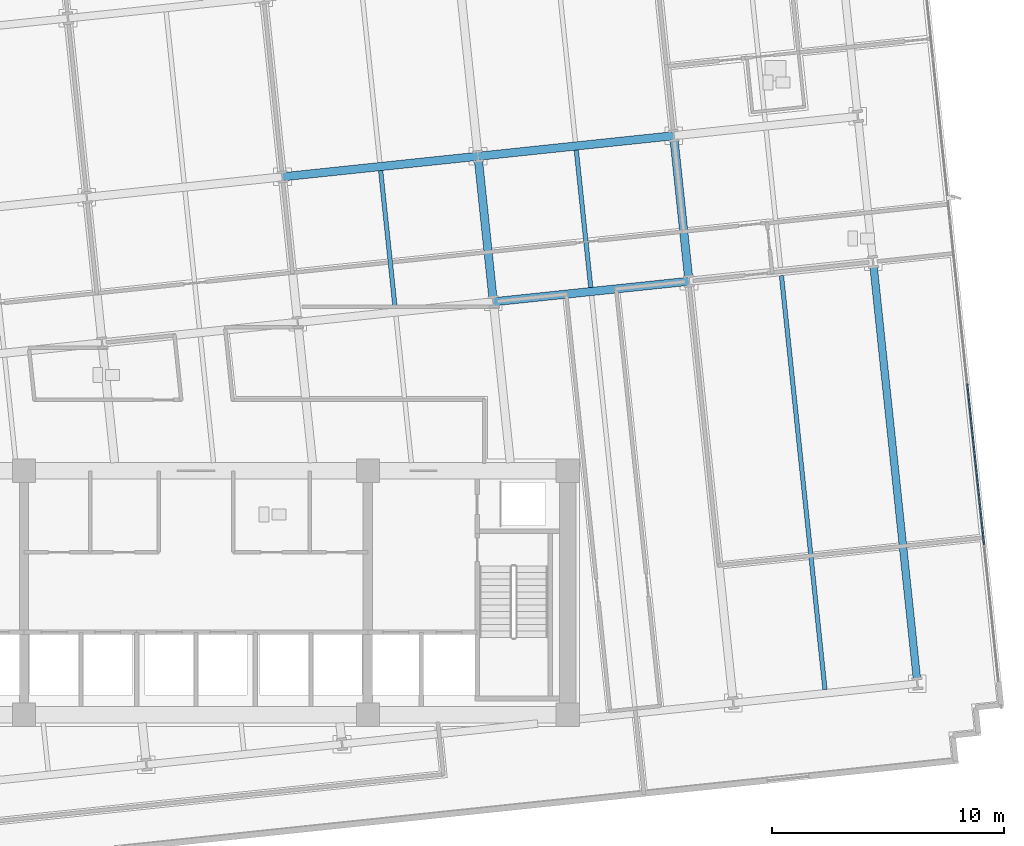
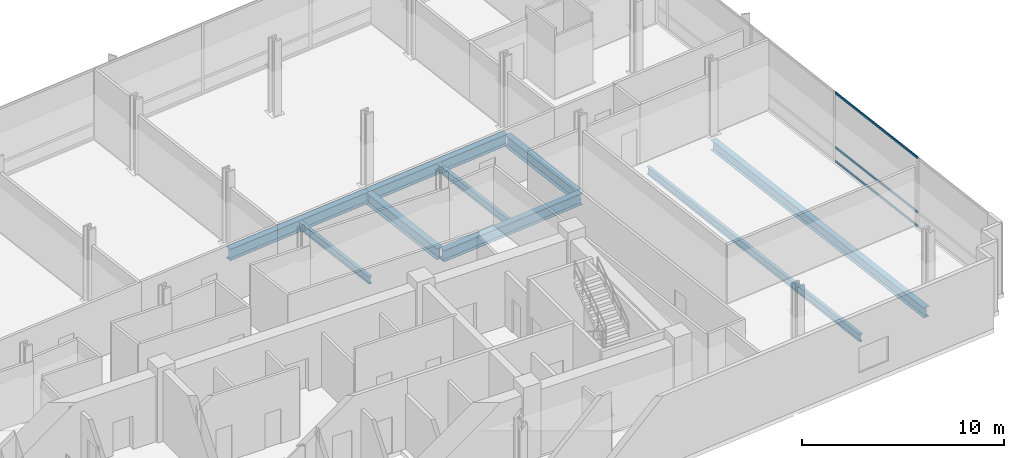
# One storey, part 7 of 20: 9 beams, 3 members, 1 element without a shape of its own.
"""IFC4 building model written with IfcOpenShell, lengths in metres."""

from ifc_helpers import new_model, si_unit, direction, frame, origin, origin_2d, place, context, subcontext, project, spatial, rectangle, i_section, extrude, material, material_profile, profile_set, type_object, element, aggregate, save


model = new_model("IFC4")

# Units and contexts
model_context = context("Model", 3, precision=1e-05, world=origin(), true_north=direction((0.0, 1.0)))
body_context = subcontext(model_context, "Body", "Model", "MODEL_VIEW")
ifc_project = project(units=[si_unit("LENGTHUNIT", "METRE"), si_unit("AREAUNIT", "SQUARE_METRE"), si_unit("VOLUMEUNIT", "CUBIC_METRE"), si_unit("PLANEANGLEUNIT", "RADIAN"), si_unit("MASSUNIT", "GRAM", prefix="KILO")], contexts=[model_context])

# Site, building, storey
site_placement = place(None, origin())
site = spatial("IfcSite", under=ifc_project, at=site_placement, CompositionType="ELEMENT")
building_placement = place(site_placement, origin())
building = spatial("IfcBuilding", under=site, at=building_placement, Name="Solmavex Isthmus Hotel", CompositionType="ELEMENT")
storey_placement = place(building_placement, frame((0.0, 0.0, 97.35009765625)))
storey = spatial("IfcBuildingStorey", under=building, at=storey_placement, Name="L26", CompositionType="ELEMENT", Elevation=97.35009765625)

# Beams
ifc_material_1 = material(Name="Steel ASTM A992 Grade 50", Category="steel")
ifc_material_profile_1 = material_profile(ifc_material_1, i_section(OverallWidth=0.354736328125, OverallDepth=0.695556640625, WebThickness=0.015380859375, FlangeThickness=0.02490234375, FilletRadius=0.017822265625, at=origin_2d()), Name="W27X146")
ifc_profile_set_1 = profile_set([ifc_material_profile_1], Name="Steel ASTM A992 Grade 50")
beam_type_1 = type_object("IfcBeamType", Name="BM-BG-W27X146", PredefinedType="BEAM", material=ifc_profile_set_1)
for number, where, z_axis, x_axis, name in (
    (1, (12.800048828125, 4.7734375, -0.60791015625), (0.994521085209, 0.104536171134, 0.0), (-0.104536171134, 0.994521085209, 0.0), "Floor Girder L26-UG11"),
    (2, (3.72216796875, 10.152099609375, -0.60791015625), (0.994524082861, 0.104507648572, 0.0), (-0.104507648572, 0.994524082861, 0.0), "Floor Girder L26-UG16"),
    (3, (12.141845703125, 11.036865234375, -0.60791015625), (0.994521085209, 0.104536171134, 0.0), (-0.104536171134, 0.994521085209, 0.0), "Floor Girder L26-UG17"),
):
    element("IfcBeam", number, at=place(storey_placement, frame(where, z_axis=z_axis, x_axis=x_axis)), inside=storey, type_object=beam_type_1, Name=name, PredefinedType="BEAM", context=body_context, shape_type="SweptSolid", body=[
        extrude(i_section(OverallWidth=0.354736328125, OverallDepth=0.695556640625, WebThickness=0.015380859375, FlangeThickness=0.02490234375, FilletRadius=0.017822265625, at=origin_2d()), origin(), (0.0, 0.0, 1.0), 8.466064453125),
    ])
for number, where, z_axis, x_axis, name in (
    (4, (12.781494140625, 4.949951171875, -0.60791015625), (-0.104505160346, 0.994524344328, 0.0), (-0.994524344328, -0.104505160346, 0.0), "Floor Beam L26-VG41"),
    (5, (21.201171875, 5.834716796875, -0.60791015625), (-0.104505160346, 0.994524344328, 0.0), (-0.994524344328, -0.104505160346, 0.0), "Floor Beam L26-VG44"),
):
    element("IfcBeam", number, at=place(storey_placement, frame(where, z_axis=z_axis, x_axis=x_axis)), inside=storey, type_object=beam_type_1, Name=name, PredefinedType="BEAM", context=body_context, shape_type="SweptSolid", body=[
        extrude(i_section(OverallWidth=0.354736328125, OverallDepth=0.695556640625, WebThickness=0.015380859375, FlangeThickness=0.02490234375, FilletRadius=0.017822265625, at=origin_2d()), origin(), (0.0, 0.0, 1.0), 5.943115234375),
    ])
ifc_material_profile_2 = material_profile(ifc_material_1, i_section(OverallWidth=0.1904296875, OverallDepth=0.456787109375, WebThickness=0.009033203125, FlangeThickness=0.014404296875, FilletRadius=0.0126953125, at=origin_2d()), Name="W18X50")
ifc_profile_set_2 = profile_set([ifc_material_profile_2], Name="Steel ASTM A992 Grade 50")
beam_type_2 = type_object("IfcBeamType", Name="BM-BJ-W18X50", PredefinedType="JOIST", material=ifc_profile_set_2)
for number, where, z_axis, x_axis, name in (
    (6, (8.57177734375, 4.50732421875, -0.488525390625), (-0.104545790518, 0.994520074048, 0.0), (-0.994520074048, -0.104545790518, 0.0), "Secondary Floor Joist L26-J14"),
    (7, (16.991455078125, 5.392333984375, -0.488525390625), (-0.104545790518, 0.994520074048, 0.0), (-0.994520074048, -0.104545790518, 0.0), "Secondary Floor Joist L26-J17"),
):
    element("IfcBeam", number, at=place(storey_placement, frame(where, z_axis=z_axis, x_axis=x_axis)), inside=storey, type_object=beam_type_2, Name=name, PredefinedType="JOIST", context=body_context, shape_type="SweptSolid", body=[
        extrude(i_section(OverallWidth=0.1904296875, OverallDepth=0.456787109375, WebThickness=0.009033203125, FlangeThickness=0.014404296875, FilletRadius=0.0126953125, at=origin_2d()), origin(), (0.0, 0.0, 1.0), 5.943115234375),
    ])
beam_1_placement = place(storey_placement, frame((27.072509765625, -11.912841796875, -0.488525390625), z_axis=(-0.104530088192, 0.99452172458, 0.0), x_axis=(-0.99452172458, -0.104530088192, 0.0)))
element("IfcBeam", 8, at=beam_1_placement, inside=storey, type_object=beam_type_2, Name="Secondary Floor Joist L26-J19", PredefinedType="JOIST", context=body_context, shape_type="SweptSolid", body=[
    extrude(i_section(OverallWidth=0.1904296875, OverallDepth=0.456787109375, WebThickness=0.009033203125, FlangeThickness=0.014404296875, FilletRadius=0.0126953125, at=origin_2d()), origin(), (0.0, 0.0, 1.0), 17.909423828125),
])
ifc_material_profile_3 = material_profile(ifc_material_1, i_section(OverallWidth=0.326416015625, OverallDepth=0.621826171875, WebThickness=0.015380859375, FlangeThickness=0.0244140625, FilletRadius=0.01513671875, at=origin_2d()), Name="W24X131")
ifc_profile_set_3 = profile_set([ifc_material_profile_3], Name="Steel ASTM A992 Grade 50")
beam_type_3 = type_object("IfcBeamType", Name="BM-SP-W24X131", PredefinedType="SPANDREL", material=ifc_profile_set_3)
beam_2_placement = place(storey_placement, frame((31.03466796875, -11.496337890625, -0.571044921875), z_axis=(-0.104530088192, 0.99452172458, 0.0), x_axis=(-0.99452172458, -0.104530088192, 0.0)))
element("IfcBeam", 9, at=beam_2_placement, inside=storey, type_object=beam_type_3, Name="Floor Beam L26-VG46", PredefinedType="SPANDREL", context=body_context, shape_type="SweptSolid", body=[
    extrude(i_section(OverallWidth=0.326416015625, OverallDepth=0.621826171875, WebThickness=0.015380859375, FlangeThickness=0.0244140625, FilletRadius=0.01513671875, at=origin_2d()), origin(), (0.0, 0.0, 1.0), 17.909423828125),
])

# Curtain wall, members
ifc_material_2 = material(Name="Aluminium alloy 6063-T6", Category="aluminium")
curtain_wall_type = type_object("IfcCurtainWallType", Name="CW-SYS-05", PredefinedType="NOTDEFINED", material=ifc_material_2)
curtain_wall_placement = place(storey_placement, origin())
curtain_wall = element("IfcCurtainWall", 10, at=curtain_wall_placement, inside=storey, type_object=curtain_wall_type, Name="Stick Curtain Wall CWL-L26-E1", PredefinedType="NOTDEFINED")
ifc_material_profile_4 = material_profile(ifc_material_2, rectangle(XDim=0.06494140625, YDim=0.125, at=origin_2d()), Name="CWT-65X125")
ifc_profile_set_4 = profile_set([ifc_material_profile_4], Name="Aluminium alloy 6063-T6")
member_type = type_object("IfcMemberType", Name="CW-SYS-05-TRN", PredefinedType="USERDEFINED", material=ifc_profile_set_4)
member_1_placement = place(storey_placement, frame((33.921875, -5.673583984375, 0.0625), z_axis=(-0.104534948973, 0.994521213672, 0.0), x_axis=(-0.994521213672, -0.104534948973, 0.0)))
member_1 = element("IfcMember", 11, at=member_1_placement, type_object=member_type, Name="CW-05 transom 2.1", ObjectType="TRANSOM", PredefinedType="USERDEFINED", context=body_context, shape_type="SweptSolid", body=[
    extrude(rectangle(XDim=0.06494140625, YDim=0.125, at=origin_2d()), origin(), (0.0, 0.0, 1.0), 6.955078125),
])
member_2_placement = place(storey_placement, frame((33.921875, -5.673583984375, 0.89990234375), z_axis=(-0.104534948973, 0.994521213672, 0.0), x_axis=(-0.994521213672, -0.104534948973, 0.0)))
member_2 = element("IfcMember", 12, at=member_2_placement, type_object=member_type, Name="CW-05 transom 2.2", ObjectType="TRANSOM", PredefinedType="USERDEFINED", context=body_context, shape_type="SweptSolid", body=[
    extrude(rectangle(XDim=0.06494140625, YDim=0.125, at=origin_2d()), origin(), (0.0, 0.0, 1.0), 6.955078125),
])
member_3_placement = place(storey_placement, frame((33.921875, -5.673583984375, 4.177490234375), z_axis=(-0.104534948973, 0.994521213672, 0.0), x_axis=(-0.994521213672, -0.104534948973, 0.0)))
member_3 = element("IfcMember", 13, at=member_3_placement, type_object=member_type, Name="CW-05 transom 2.3", ObjectType="TRANSOM", PredefinedType="USERDEFINED", context=body_context, shape_type="SweptSolid", body=[
    extrude(rectangle(XDim=0.06494140625, YDim=0.125, at=origin_2d()), origin(), (0.0, 0.0, 1.0), 6.955078125),
])
aggregate(curtain_wall, [member_1, member_2, member_3])

save(model, "model.ifc")
